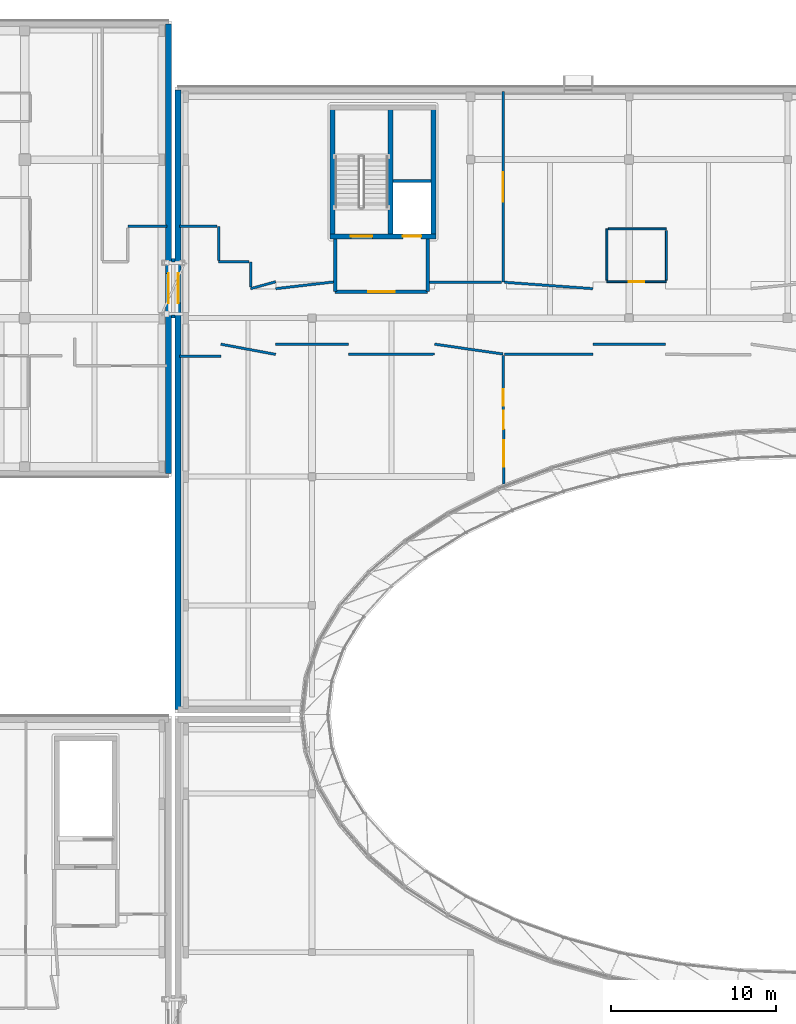
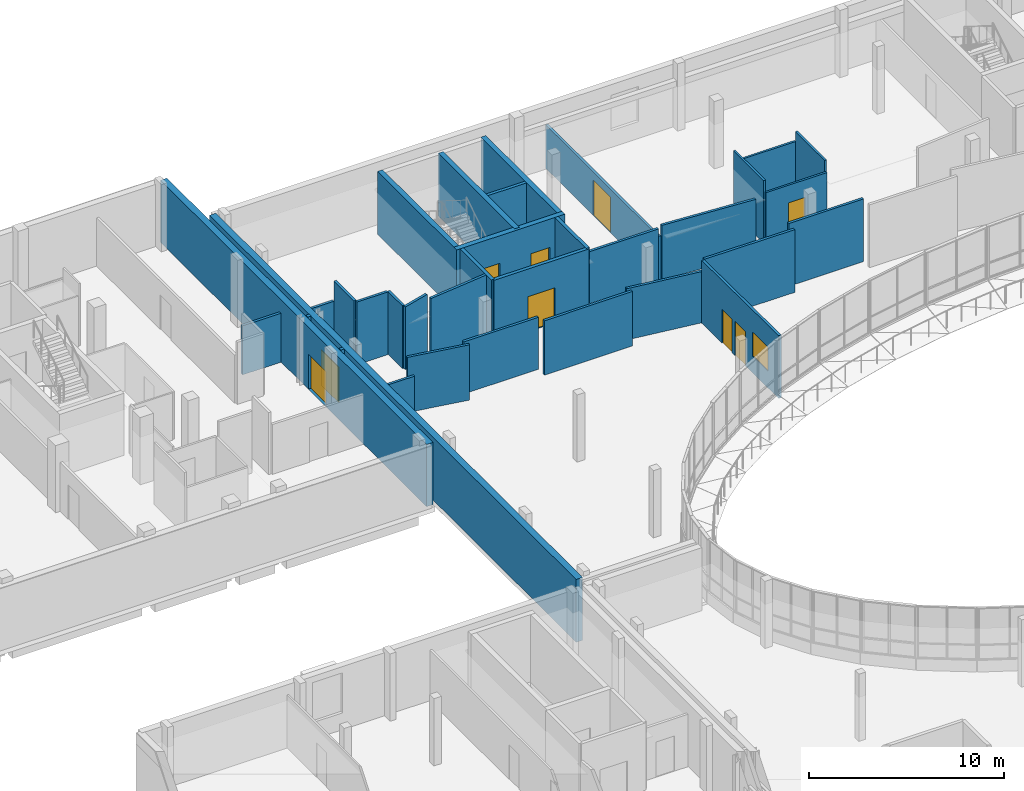
# One storey, part 45 of 73: 34 walls, 9 doors, 1 window, 10 openings.
"""IFC4 building model written with IfcOpenShell, lengths in metres."""

from ifc_helpers import new_model, si_unit, direction, frame, frame_2d, origin, place, context, subcontext, project, spatial, rectangle, extrude, material, layer, layer_set, type_object, element, fill, save


model = new_model("IFC4")

# Units and contexts
model_context = context("Model", 3, precision=1e-05, world=origin(), true_north=direction((0.0, 1.0)))
body_context = subcontext(model_context, "Body", "Model", "MODEL_VIEW")
ifc_project = project(units=[si_unit("LENGTHUNIT", "METRE"), si_unit("AREAUNIT", "SQUARE_METRE"), si_unit("VOLUMEUNIT", "CUBIC_METRE"), si_unit("PLANEANGLEUNIT", "RADIAN"), si_unit("MASSUNIT", "GRAM", prefix="KILO")], contexts=[model_context])

# Site, building, storey
site_placement = place(None, origin())
site = spatial("IfcSite", under=ifc_project, at=site_placement, CompositionType="ELEMENT")
building_placement = place(site_placement, origin())
building = spatial("IfcBuilding", under=site, at=building_placement, Name="Mzevani Central Library", CompositionType="ELEMENT")
storey_placement = place(building_placement, frame((0.0, 0.0, 9.60009765625)))
storey = spatial("IfcBuildingStorey", under=building, at=storey_placement, Name="L02", CompositionType="ELEMENT", Elevation=9.60009765625)

# Walls
ifc_material_1 = material(Name="Concrete C35/45", Category="concrete")
ifc_layer_1 = layer(ifc_material_1, 0.199951171875, Name="Compartment Wall 200")
ifc_layer_set_1 = layer_set([ifc_layer_1], Name="Concrete C35/45")
wall_type_1 = type_object("IfcWallType", Name="Compartment Wall 200", PredefinedType="STANDARD", material=ifc_layer_set_1)
for number, where, z_axis, x_axis, name in (
    (1, (45.89990234375, 100.10009765625, 0.0), (0.0, 0.0, 1.0), (1.0, 0.0, 0.0), "L02 Stacks-Court Seismic Passage L02 Seismic Joint Enclosure Wall 1"),
    (2, (45.89990234375, 103.5, 0.0), (0.0, 0.0, 1.0), (1.0, 0.0, 0.0), "L02 Stacks-Court Seismic Passage L02 Seismic Joint Enclosure Wall 2"),
):
    element("IfcWall", number, at=place(storey_placement, frame(where, z_axis=z_axis, x_axis=x_axis)), inside=storey, type_object=wall_type_1, Name=name, PredefinedType="STANDARD", context=body_context, shape_type="SweptSolid", body=[
        extrude(rectangle(XDim=0.2001953125, YDim=0.199951171875, at=frame_2d((0.10009765625, 0.0))), origin(), (0.0, 0.0, 1.0), 3.93994140625),
    ])
wall_1_placement = place(storey_placement, frame((55.800048828125, 104.800048828125, 0.0), z_axis=(0.0, 0.0, 1.0), x_axis=(0.0, -1.0, 0.0)))
element("IfcWall", 3, at=wall_1_placement, inside=storey, type_object=wall_type_1, Name="L02 Firefighting Stair and Lift Lobby C3A Enclosure Wall 1", PredefinedType="STANDARD", context=body_context, shape_type="SweptSolid", body=[
    extrude(rectangle(XDim=3.199951171875, YDim=0.199951171875, at=frame_2d((1.60009765625, 0.0))), origin(), (0.0, 0.0, 1.0), 3.919921875),
])

# Wall, opening, door
wall_2_placement = place(storey_placement, frame((55.800048828125, 101.60009765625, 0.0), z_axis=(0.0, 0.0, 1.0), x_axis=(1.0, 0.0, 0.0)))
wall_2 = element("IfcWall", 4, at=wall_2_placement, inside=storey, type_object=wall_type_1, Name="L02 Firefighting Stair and Lift Lobby C3A Enclosure Wall 2", PredefinedType="STANDARD", context=body_context, shape_type="SweptSolid", body=[
    extrude(rectangle(XDim=5.599853515625, YDim=0.199951171875, at=frame_2d((2.7998046875, 0.0))), origin(), (0.0, 0.0, 1.0), 3.919921875),
])
opening_1_placement = place(wall_2_placement, frame((2.0, 0.0, 0.0)))
opening_1 = element("IfcOpeningElement", 5, at=opening_1_placement, cuts=wall_2, Name="Opening FD-02", PredefinedType="OPENING", context=body_context, shape_type="SweptSolid", body=[
    extrude(rectangle(XDim=1.60009765625, YDim=2.199951171875, at=frame_2d((0.800048828125, 1.10009765625))), frame((0.0, 0.10986328125, 0.0), z_axis=(0.0, -1.0, 0.0), x_axis=(1.0, 0.0, 0.0)), (0.0, 0.0, 1.0), 0.219970703125),
])
ifc_material_2 = material(Name="Fire-rated steel door assembly", Category="steel")
door_type_1 = type_object("IfcDoorType", Name="Fire Lobby Double Door 1600x2200", OperationType="NOTDEFINED", PredefinedType="DOOR", material=ifc_material_2)
door_1_placement = place(opening_1_placement, origin())
door_1 = element("IfcDoor", 6, at=door_1_placement, inside=storey, type_object=door_type_1, Name="L02 Firefighting Stair and Lift Lobby C3A Smoke-Control Door", OperationType="DOUBLE_DOOR_SINGLE_SWING", OverallHeight=2.199951171875, OverallWidth=1.60009765625, PredefinedType="DOOR", context=body_context, shape_type="SweptSolid", body=[
    extrude(rectangle(XDim=1.60009765625, YDim=2.199951171875, at=frame_2d((0.800048828125, 1.10009765625))), frame((0.0, 0.02490234375, 0.0), z_axis=(0.0, -1.0, 0.0), x_axis=(1.0, 0.0, 0.0)), (0.0, 0.0, 1.0), 0.050048828125),
])
fill(opening_1, door_1)

# Wall
wall_3_placement = place(storey_placement, frame((61.39990234375, 101.60009765625, 0.0), z_axis=(0.0, 0.0, 1.0), x_axis=(0.0, 1.0, 0.0)))
element("IfcWall", 7, at=wall_3_placement, inside=storey, type_object=wall_type_1, Name="L02 Firefighting Stair and Lift Lobby C3A Enclosure Wall 3", PredefinedType="STANDARD", context=body_context, shape_type="SweptSolid", body=[
    extrude(rectangle(XDim=3.199951171875, YDim=0.199951171875, at=frame_2d((1.60009765625, 0.0))), origin(), (0.0, 0.0, 1.0), 3.919921875),
])

# Wall, openings, doors
ifc_material_3 = material(Name="Concrete C40/50", Category="concrete")
ifc_layer_2 = layer(ifc_material_3, 0.300048828125, Name="Core Shear Wall 300")
ifc_layer_set_2 = layer_set([ifc_layer_2], Name="Concrete C40/50")
wall_type_2 = type_object("IfcWallType", Name="Core Shear Wall 300", PredefinedType="SHEAR", material=ifc_layer_set_2)
wall_4_placement = place(storey_placement, frame((61.89990234375, 104.949951171875, 0.0), z_axis=(0.0, 0.0, 1.0), x_axis=(-1.0, 0.0, 0.0)))
wall_4 = element("IfcWall", 8, at=wall_4_placement, inside=storey, type_object=wall_type_2, Name="L02 Core C3A North-East Firefighting Core Shear Wall (-y)", PredefinedType="SHEAR", context=body_context, shape_type="SweptSolid", body=[
    extrude(rectangle(XDim=6.39990234375, YDim=0.300048828125, at=frame_2d((3.199951171875, 0.0))), origin(), (0.0, 0.0, 1.0), 3.919921875),
])
opening_2_placement = place(wall_4_placement, frame((3.85009765625, 0.0, 0.0)))
opening_2 = element("IfcOpeningElement", 9, at=opening_2_placement, cuts=wall_4, Name="Opening FD-01", PredefinedType="OPENING", context=body_context, shape_type="SweptSolid", body=[
    extrude(rectangle(XDim=1.300048828125, YDim=2.199951171875, at=frame_2d((0.64990234375, 1.10009765625))), frame((0.0, 0.16015625, 0.0), z_axis=(0.0, -1.0, 0.0), x_axis=(1.0, 0.0, 0.0)), (0.0, 0.0, 1.0), 0.320068359375),
])
opening_3_placement = place(wall_4_placement, frame((0.89990234375, 0.0, 0.0)))
opening_3 = element("IfcOpeningElement", 10, at=opening_3_placement, cuts=wall_4, Name="Opening LD-02", PredefinedType="OPENING", context=body_context, shape_type="SweptSolid", body=[
    extrude(rectangle(XDim=1.10009765625, YDim=2.14990234375, at=frame_2d((0.550048828125, 1.074951171875))), frame((0.0, 0.16015625, 0.0), z_axis=(0.0, -1.0, 0.0), x_axis=(1.0, 0.0, 0.0)), (0.0, 0.0, 1.0), 0.320068359375),
])
door_type_2 = type_object("IfcDoorType", Name="Fire Stair Door 1300x2200", OperationType="NOTDEFINED", PredefinedType="DOOR", material=ifc_material_2)
door_2_placement = place(opening_2_placement, origin())
door_2 = element("IfcDoor", 11, at=door_2_placement, inside=storey, type_object=door_type_2, Name="L02 ST-05 Protected Exit Stair Door", OperationType="SINGLE_SWING_LEFT", OverallHeight=2.199951171875, OverallWidth=1.300048828125, PredefinedType="DOOR", context=body_context, shape_type="SweptSolid", body=[
    extrude(rectangle(XDim=1.300048828125, YDim=2.199951171875, at=frame_2d((0.64990234375, 1.10009765625))), frame((0.0, 0.02490234375, 0.0), z_axis=(0.0, -1.0, 0.0), x_axis=(1.0, 0.0, 0.0)), (0.0, 0.0, 1.0), 0.050048828125),
])
fill(opening_2, door_2)
ifc_material_4 = material(Name="Brushed stainless steel door", Category="steel")
door_type_3 = type_object("IfcDoorType", Name="Firefighting Lift Landing Door 1100x2150", OperationType="NOTDEFINED", PredefinedType="DOOR", material=ifc_material_4)
door_3_placement = place(opening_3_placement, origin())
door_3 = element("IfcDoor", 12, at=door_3_placement, inside=storey, type_object=door_type_3, Name="L02 Lift LF-FF2 Sliding Landing Door", OperationType="SLIDING_TO_LEFT", OverallHeight=2.14990234375, OverallWidth=1.10009765625, PredefinedType="DOOR", context=body_context, shape_type="SweptSolid", body=[
    extrude(rectangle(XDim=1.10009765625, YDim=2.14990234375, at=frame_2d((0.550048828125, 1.074951171875))), frame((0.0, 0.02490234375, 0.0), z_axis=(0.0, -1.0, 0.0), x_axis=(1.0, 0.0, 0.0)), (0.0, 0.0, 1.0), 0.050048828125),
])
fill(opening_3, door_3)

# Walls
for number, where, z_axis, x_axis, name in (
    (13, (55.64990234375, 104.800048828125, 0.0), (0.0, 0.0, 1.0), (0.0, 1.0, 0.0), "L02 Core C3A North-East Firefighting Core Shear Wall (-x)"),
    (14, (61.75, 112.89990234375, 0.0), (0.0, 0.0, 1.0), (0.0, -1.0, 0.0), "L02 Core C3A North-East Firefighting Core Shear Wall (+x)"),
):
    element("IfcWall", number, at=place(storey_placement, frame(where, z_axis=z_axis, x_axis=x_axis)), inside=storey, type_object=wall_type_2, Name=name, PredefinedType="SHEAR", context=body_context, shape_type="SweptSolid", body=[
        extrude(rectangle(XDim=8.099853515625, YDim=0.300048828125, at=frame_2d((4.0498046875, 0.0))), origin(), (0.0, 0.0, 1.0), 3.919921875),
    ])
wall_5_placement = place(storey_placement, frame((59.14990234375, 104.949951171875, 0.0), z_axis=(0.0, 0.0, 1.0), x_axis=(0.0, 1.0, 0.0)))
element("IfcWall", 15, at=wall_5_placement, inside=storey, type_object=wall_type_2, Name="L02 Core C3A North-East Firefighting Core Hoistway Shear Wall", PredefinedType="SHEAR", context=body_context, shape_type="SweptSolid", body=[
    extrude(rectangle(XDim=7.800048828125, YDim=0.300048828125, at=frame_2d((3.89990234375, 0.0))), origin(), (0.0, 0.0, 1.0), 3.919921875),
])

# Wall, opening, door
ifc_material_5 = material(Name="Precast concrete C40/50", Category="concrete")
ifc_layer_3 = layer(ifc_material_5, 0.3798828125, Name="Exterior Thermal Concrete Wall 380")
ifc_layer_set_3 = layer_set([ifc_layer_3], Name="Precast concrete C40/50")
wall_type_3 = type_object("IfcWallType", Name="Exterior Thermal Concrete Wall 380", PredefinedType="STANDARD", material=ifc_layer_set_3)
wall_6_placement = place(storey_placement, frame((45.7099609375, 117.81005859375, 0.0), z_axis=(0.0, 0.0, 1.0), x_axis=(0.0, -1.0, 0.0)))
wall_6 = element("IfcWall", 16, at=wall_6_placement, inside=storey, type_object=wall_type_3, Name="L02 V2 Exterior Thermal Wall (27)", PredefinedType="STANDARD", context=body_context, shape_type="SweptSolid", body=[
    extrude(rectangle(XDim=27.219970703125, YDim=0.3798828125, at=frame_2d((13.60986328125, 0.0))), origin(), (0.0, 0.0, 1.0), 3.8798828125),
])
opening_4_placement = place(wall_6_placement, frame((15.110107421875, 0.0, 0.0)))
opening_4 = element("IfcOpeningElement", 17, at=opening_4_placement, cuts=wall_6, Name="Opening FD-06", PredefinedType="OPENING", context=body_context, shape_type="SweptSolid", body=[
    extrude(rectangle(XDim=1.800048828125, YDim=2.199951171875, at=frame_2d((0.89990234375, 1.10009765625))), frame((0.0, 0.199951171875, 0.0), z_axis=(0.0, -1.0, 0.0), x_axis=(1.0, 0.0, 0.0)), (0.0, 0.0, 1.0), 0.39990234375),
])
door_type_4 = type_object("IfcDoorType", Name="Fire Corridor Double Door 1800x2200", OperationType="NOTDEFINED", PredefinedType="DOOR", material=ifc_material_2)
door_4_placement = place(opening_4_placement, origin())
door_4 = element("IfcDoor", 18, at=door_4_placement, inside=storey, type_object=door_type_4, Name="L02 Stacks-Court Seismic Passage L02 Fire Portal Door (V2)", OperationType="DOUBLE_DOOR_SINGLE_SWING", OverallHeight=2.199951171875, OverallWidth=1.800048828125, PredefinedType="DOOR", context=body_context, shape_type="SweptSolid", body=[
    extrude(rectangle(XDim=1.800048828125, YDim=2.199951171875, at=frame_2d((0.89990234375, 1.10009765625))), frame((0.0, 0.02490234375, 0.0), z_axis=(0.0, -1.0, 0.0), x_axis=(1.0, 0.0, 0.0)), (0.0, 0.0, 1.0), 0.050048828125),
])
fill(opening_4, door_4)

wall_7_placement = place(storey_placement, frame((46.2900390625, 76.2900390625, 0.0), z_axis=(0.0, 0.0, 1.0), x_axis=(0.0, 1.0, 0.0)))
wall_7 = element("IfcWall", 19, at=wall_7_placement, inside=storey, type_object=wall_type_3, Name="L02 V3 Exterior Thermal Wall (62)", PredefinedType="STANDARD", context=body_context, shape_type="SweptSolid", body=[
    extrude(rectangle(XDim=37.52001953125, YDim=0.3798828125, at=frame_2d((18.760009765625, 0.0))), origin(), (0.0, 0.0, 1.0), 3.919921875),
])
opening_5_placement = place(wall_7_placement, frame((24.610107421875, 0.0, 0.0)))
opening_5 = element("IfcOpeningElement", 20, at=opening_5_placement, cuts=wall_7, Name="Opening FD-06", PredefinedType="OPENING", context=body_context, shape_type="SweptSolid", body=[
    extrude(rectangle(XDim=1.800048828125, YDim=2.199951171875, at=frame_2d((0.89990234375, 1.10009765625))), frame((0.0, 0.199951171875, 0.0), z_axis=(0.0, -1.0, 0.0), x_axis=(1.0, 0.0, 0.0)), (0.0, 0.0, 1.0), 0.39990234375),
])
door_5_placement = place(opening_5_placement, origin())
door_5 = element("IfcDoor", 21, at=door_5_placement, inside=storey, type_object=door_type_4, Name="L02 Stacks-Court Seismic Passage L02 Fire Portal Door (V3)", OperationType="DOUBLE_DOOR_SINGLE_SWING", OverallHeight=2.199951171875, OverallWidth=1.800048828125, PredefinedType="DOOR", context=body_context, shape_type="SweptSolid", body=[
    extrude(rectangle(XDim=1.800048828125, YDim=2.199951171875, at=frame_2d((0.89990234375, 1.10009765625))), frame((0.0, 0.02490234375, 0.0), z_axis=(0.0, -1.0, 0.0), x_axis=(1.0, 0.0, 0.0)), (0.0, 0.0, 1.0), 0.050048828125),
])
fill(opening_5, door_5)

ifc_material_6 = material(Name="Fire-rated gypsum board", Category="gypsum")
ifc_layer_4 = layer(ifc_material_6, 0.1201171875, Name="Partition Acoustic 120")
ifc_layer_set_4 = layer_set([ifc_layer_4], Name="Fire-rated gypsum board")
wall_type_4 = type_object("IfcWallType", Name="Partition Acoustic 120", PredefinedType="PARTITIONING", material=ifc_layer_set_4)
wall_8_placement = place(storey_placement, frame((75.85009765625, 102.199951171875, 0.0), z_axis=(0.0, 0.0, 1.0), x_axis=(-1.0, 0.0, 0.0)))
wall_8 = element("IfcWall", 22, at=wall_8_placement, inside=storey, type_object=wall_type_4, Name="L02 V3 Partition IW-02 (428)", PredefinedType="PARTITIONING", context=body_context, shape_type="SweptSolid", body=[
    extrude(rectangle(XDim=3.60009765625, YDim=0.1201171875, at=frame_2d((1.800048828125, 0.0))), origin(), (0.0, 0.0, 1.0), 3.25),
])
opening_6_placement = place(wall_8_placement, frame((1.324951171875, 0.0, 0.0)))
opening_6 = element("IfcOpeningElement", 23, at=opening_6_placement, cuts=wall_8, Name="Opening ID-02", PredefinedType="OPENING", context=body_context, shape_type="SweptSolid", body=[
    extrude(rectangle(XDim=0.949951171875, YDim=2.14990234375, at=frame_2d((0.47509765625, 1.074951171875))), frame((0.0, 0.070068359375, 0.0), z_axis=(0.0, -1.0, 0.0), x_axis=(1.0, 0.0, 0.0)), (0.0, 0.0, 1.0), 0.14013671875),
])
ifc_material_7 = material(Name="Fire-rated solid oak leaf")
door_type_5 = type_object("IfcDoorType", Name="Accessible WC Door 950x2150", OperationType="NOTDEFINED", PredefinedType="DOOR", material=ifc_material_7)
door_6_placement = place(opening_6_placement, origin())
door_6 = element("IfcDoor", 24, at=door_6_placement, inside=storey, type_object=door_type_5, Name="L02 Accessible WC and Public Toilet V3 Door", OperationType="SINGLE_SWING_LEFT", OverallHeight=2.14990234375, OverallWidth=0.949951171875, PredefinedType="DOOR", context=body_context, shape_type="SweptSolid", body=[
    extrude(rectangle(XDim=0.949951171875, YDim=2.14990234375, at=frame_2d((0.47509765625, 1.074951171875))), frame((0.0, 0.02490234375, 0.0), z_axis=(0.0, -1.0, 0.0), x_axis=(1.0, 0.0, 0.0)), (0.0, 0.0, 1.0), 0.050048828125),
])
fill(opening_6, door_6)

# Walls
wall_9_placement = place(storey_placement, frame((72.25, 102.300048828125, 0.0), z_axis=(0.0, 0.0, 1.0), x_axis=(0.0, 1.0, 0.0)))
element("IfcWall", 25, at=wall_9_placement, inside=storey, type_object=wall_type_4, Name="L02 V3 Partition IW-02 (429)", PredefinedType="PARTITIONING", context=body_context, shape_type="SweptSolid", body=[
    extrude(rectangle(XDim=3.099853515625, YDim=0.1201171875, at=frame_2d((1.5498046875, 0.0))), origin(), (0.0, 0.0, 1.0), 3.919921875),
])
wall_10_placement = place(storey_placement, frame((72.35009765625, 105.39990234375, 0.0), z_axis=(0.0, 0.0, 1.0), x_axis=(1.0, 0.0, 0.0)))
element("IfcWall", 26, at=wall_10_placement, inside=storey, type_object=wall_type_4, Name="L02 V3 Partition IW-02 (430)", PredefinedType="PARTITIONING", context=body_context, shape_type="SweptSolid", body=[
    extrude(rectangle(XDim=3.5, YDim=0.1201171875, at=frame_2d((1.75, 0.0))), origin(), (0.0, 0.0, 1.0), 3.25),
])
wall_11_placement = place(storey_placement, frame((75.85009765625, 105.300048828125, 0.0), z_axis=(0.0, 0.0, 1.0), x_axis=(0.0, -1.0, 0.0)))
element("IfcWall", 27, at=wall_11_placement, inside=storey, type_object=wall_type_4, Name="L02 V3 Partition IW-02 (431)", PredefinedType="PARTITIONING", context=body_context, shape_type="SweptSolid", body=[
    extrude(rectangle(XDim=3.0, YDim=0.1201171875, at=frame_2d((1.5, 0.0))), origin(), (0.0, 0.0, 1.0), 3.919921875),
])
ifc_layer_5 = layer(ifc_material_6, 0.14990234375, Name="Partition Study 150")
ifc_layer_set_5 = layer_set([ifc_layer_5], Name="Fire-rated gypsum board")
wall_type_5 = type_object("IfcWallType", Name="Partition Study 150", PredefinedType="PARTITIONING", material=ifc_layer_set_5)
wall_12_placement = place(storey_placement, frame((45.610107421875, 105.550048828125, 0.0), z_axis=(0.0, 0.0, 1.0), x_axis=(-1.0, 0.0, 0.0)))
element("IfcWall", 28, at=wall_12_placement, inside=storey, type_object=wall_type_5, Name="L02 V2 Partition IW-03 (424)", PredefinedType="PARTITIONING", context=body_context, shape_type="SweptSolid", body=[
    extrude(rectangle(XDim=2.360107421875, YDim=0.14990234375, at=frame_2d((1.18017578125, 0.0))), origin(), (0.0, 0.0, 1.0), 3.059814453125),
])
wall_13_placement = place(storey_placement, frame((46.389892578125, 97.699951171875, 0.0), z_axis=(0.0, 0.0, 1.0), x_axis=(1.0, 0.0, 0.0)))
element("IfcWall", 29, at=wall_13_placement, inside=storey, type_object=wall_type_5, Name="L02 V3 Partition IW-03 (432)", PredefinedType="PARTITIONING", context=body_context, shape_type="SweptSolid", body=[
    extrude(rectangle(XDim=2.485107421875, YDim=0.14990234375, at=frame_2d((1.24267578125, 0.0))), origin(), (0.0, 0.0, 1.0), 2.71484375),
])
wall_14_placement = place(storey_placement, frame((48.875, 98.419921875, 0.0), z_axis=(0.0, 0.0, 1.0), x_axis=(0.983062062396, -0.183272969853, 0.0)))
element("IfcWall", 30, at=wall_14_placement, inside=storey, type_object=wall_type_5, Name="L02 V3 Partition IW-03 (433)", PredefinedType="PARTITIONING", context=body_context, shape_type="SweptSolid", body=[
    extrude(rectangle(XDim=3.38232421875, YDim=0.14990234375, at=frame_2d((1.691162109375, 0.0))), origin(), (0.0, 0.0, 1.0), 3.449951171875),
])
wall_15_placement = place(storey_placement, frame((52.199951171875, 98.419921875, 0.0), z_axis=(0.0, 0.0, 1.0), x_axis=(1.0, 0.0, 0.0)))
element("IfcWall", 31, at=wall_15_placement, inside=storey, type_object=wall_type_5, Name="L02 V3 Partition IW-03 (434)", PredefinedType="PARTITIONING", context=body_context, shape_type="SweptSolid", body=[
    extrude(rectangle(XDim=4.400146484375, YDim=0.14990234375, at=frame_2d((2.2001953125, 0.0))), origin(), (0.0, 0.0, 1.0), 3.25),
])
wall_16_placement = place(storey_placement, frame((56.60009765625, 97.800048828125, 0.0), z_axis=(0.0, 0.0, 1.0), x_axis=(0.999988642184, 0.004766078291, 0.0)))
element("IfcWall", 32, at=wall_16_placement, inside=storey, type_object=wall_type_5, Name="L02 V3 Partition IW-03 (435)", PredefinedType="PARTITIONING", context=body_context, shape_type="SweptSolid", body=[
    extrude(rectangle(XDim=5.224853515625, YDim=0.14990234375, at=frame_2d((2.6123046875, 0.0))), origin(), (0.0, 0.0, 1.0), 3.39990234375),
])
wall_17_placement = place(storey_placement, frame((61.824951171875, 98.419921875, 0.0), z_axis=(0.0, 0.0, 1.0), x_axis=(0.989831243065, -0.142246652869, 0.0)))
element("IfcWall", 33, at=wall_17_placement, inside=storey, type_object=wall_type_5, Name="L02 V3 Partition IW-03 (436)", PredefinedType="PARTITIONING", context=body_context, shape_type="SweptSolid", body=[
    extrude(rectangle(XDim=4.1826171875, YDim=0.14990234375, at=frame_2d((2.09130859375, 0.0))), origin(), (0.0, 0.0, 1.0), 3.199951171875),
])

# Wall, openings, doors, window
wall_18_placement = place(storey_placement, frame((65.9658203125, 97.72509765625, 0.0), z_axis=(0.0, 0.0, 1.0), x_axis=(0.007087127579, -0.999974885996, 0.0)))
wall_18 = element("IfcWall", 34, at=wall_18_placement, inside=storey, type_object=wall_type_5, Name="L02 V3 Partition IW-03 (437)", PredefinedType="PARTITIONING", context=body_context, shape_type="SweptSolid", body=[
    extrude(rectangle(XDim=7.785400390625, YDim=0.14990234375, at=frame_2d((3.892578125, 0.0))), origin(), (0.0, 0.0, 1.0), 3.919921875),
])
opening_7_placement = place(wall_18_placement, frame((3.342529296875, 0.0, 0.0)))
opening_7 = element("IfcOpeningElement", 35, at=opening_7_placement, cuts=wall_18, Name="Opening FD-04", PredefinedType="OPENING", context=body_context, shape_type="SweptSolid", body=[
    extrude(rectangle(XDim=1.10009765625, YDim=2.14990234375, at=frame_2d((0.550048828125, 1.074951171875))), frame((0.0, 0.0849609375, 0.0), z_axis=(0.0, -1.0, 0.0), x_axis=(1.0, 0.0, 0.0)), (0.0, 0.0, 1.0), 0.169921875),
])
opening_8_placement = place(wall_18_placement, frame((2.04248046875, 0.0, 0.0)))
opening_8 = element("IfcOpeningElement", 36, at=opening_8_placement, cuts=wall_18, Name="Opening ID-03", PredefinedType="OPENING", context=body_context, shape_type="SweptSolid", body=[
    extrude(rectangle(XDim=1.0, YDim=2.10009765625, at=frame_2d((0.5, 1.050048828125))), frame((0.0, 0.0849609375, 0.0), z_axis=(0.0, -1.0, 0.0), x_axis=(1.0, 0.0, 0.0)), (0.0, 0.0, 1.0), 0.169921875),
])
opening_9_placement = place(wall_18_placement, frame((5.11669921875, 0.0, 1.050048828125)))
opening_9 = element("IfcOpeningElement", 37, at=opening_9_placement, cuts=wall_18, Name="Opening IW-W01", PredefinedType="OPENING", context=body_context, shape_type="SweptSolid", body=[
    extrude(rectangle(XDim=1.60009765625, YDim=1.5, at=frame_2d((0.800048828125, 0.75))), frame((0.0, 0.0849609375, 0.0), z_axis=(0.0, -1.0, 0.0), x_axis=(1.0, 0.0, 0.0)), (0.0, 0.0, 1.0), 0.169921875),
])
door_type_6 = type_object("IfcDoorType", Name="Fire Compartment Door 1100x2150", OperationType="NOTDEFINED", PredefinedType="DOOR", material=ifc_material_2)
door_7_placement = place(opening_7_placement, origin())
door_7 = element("IfcDoor", 38, at=door_7_placement, inside=storey, type_object=door_type_6, Name="L02 Sciences and Engineering Open Stacks Door", OperationType="SINGLE_SWING_RIGHT", OverallHeight=2.14990234375, OverallWidth=1.10009765625, PredefinedType="DOOR", context=body_context, shape_type="SweptSolid", body=[
    extrude(rectangle(XDim=1.10009765625, YDim=2.14990234375, at=frame_2d((0.550048828125, 1.074951171875))), frame((0.0, 0.02490234375, 0.0), z_axis=(0.0, -1.0, 0.0), x_axis=(1.0, 0.0, 0.0)), (0.0, 0.0, 1.0), 0.050048828125),
])
fill(opening_7, door_7)
ifc_material_8 = material(Name="Low-E triple glazing glass", Category="glass")
window_type = type_object("IfcWindowType", Name="Interior Borrowed Light 1600x1500", PartitioningType="SINGLE_PANEL", PredefinedType="WINDOW", material=ifc_material_8)
window_placement = place(opening_9_placement, origin())
window = element("IfcWindow", 39, at=window_placement, inside=storey, type_object=window_type, Name="L02 Individual Quiet Study Carrels L02 Acoustic Borrowed Light", OverallHeight=1.5, OverallWidth=1.60009765625, PartitioningType="SINGLE_PANEL", PredefinedType="WINDOW", context=body_context, shape_type="SweptSolid", body=[
    extrude(rectangle(XDim=1.60009765625, YDim=1.5, at=frame_2d((0.800048828125, 0.75))), frame((0.0, 0.030029296875, 0.0), z_axis=(0.0, -1.0, 0.0), x_axis=(1.0, 0.0, 0.0)), (0.0, 0.0, 1.0), 0.06005859375),
])
fill(opening_9, window)
door_type_7 = type_object("IfcDoorType", Name="Quiet Study Carrel Door 1000x2100", OperationType="NOTDEFINED", PredefinedType="DOOR", material=ifc_material_7)
door_8_placement = place(opening_8_placement, origin())
door_8 = element("IfcDoor", 40, at=door_8_placement, inside=storey, type_object=door_type_7, Name="L02 Individual Quiet Study Carrels L02 Door", OperationType="SINGLE_SWING_RIGHT", OverallHeight=2.10009765625, OverallWidth=1.0, PredefinedType="DOOR", context=body_context, shape_type="SweptSolid", body=[
    extrude(rectangle(XDim=1.0, YDim=2.10009765625, at=frame_2d((0.5, 1.050048828125))), frame((0.0, 0.02490234375, 0.0), z_axis=(0.0, -1.0, 0.0), x_axis=(1.0, 0.0, 0.0)), (0.0, 0.0, 1.0), 0.050048828125),
])
fill(opening_8, door_8)

# Walls
wall_19_placement = place(storey_placement, frame((55.70068359375, 102.1884765625, 0.0), z_axis=(0.0, 0.0, 1.0), x_axis=(-0.993262208875, -0.115888672533, 0.0)))
element("IfcWall", 41, at=wall_19_placement, inside=storey, type_object=wall_type_5, Name="L02 V3 Partition IW-03 (438)", PredefinedType="PARTITIONING", context=body_context, shape_type="SweptSolid", body=[
    extrude(rectangle(XDim=3.5244140625, YDim=0.14990234375, at=frame_2d((1.76220703125, 0.0))), origin(), (0.0, 0.0, 1.0), 3.919921875),
])
wall_20_placement = place(storey_placement, frame((52.199951171875, 102.199951171875, 0.0), z_axis=(0.0, 0.0, 1.0), x_axis=(-0.963894016224, -0.266286172166, 0.0)))
element("IfcWall", 42, at=wall_20_placement, inside=storey, type_object=wall_type_5, Name="L02 V3 Partition IW-03 (439)", PredefinedType="PARTITIONING", context=body_context, shape_type="SweptSolid", body=[
    extrude(rectangle(XDim=1.576904296875, YDim=0.14990234375, at=frame_2d((0.78857421875, 0.0))), origin(), (0.0, 0.0, 1.0), 3.919921875),
])
wall_21_placement = place(storey_placement, frame((50.679931640625, 101.8798828125, 0.0), z_axis=(0.0, 0.0, 1.0), x_axis=(0.0, 1.0, 0.0)))
element("IfcWall", 43, at=wall_21_placement, inside=storey, type_object=wall_type_5, Name="L02 V3 Partition IW-03 (440)", PredefinedType="PARTITIONING", context=body_context, shape_type="SweptSolid", body=[
    extrude(rectangle(XDim=1.52001953125, YDim=0.14990234375, at=frame_2d((0.760009765625, 0.0))), origin(), (0.0, 0.0, 1.0), 3.919921875),
])
wall_22_placement = place(storey_placement, frame((50.580078125, 103.39990234375, 0.0), z_axis=(0.0, 0.0, 1.0), x_axis=(-1.0, 0.0, 0.0)))
element("IfcWall", 44, at=wall_22_placement, inside=storey, type_object=wall_type_5, Name="L02 V3 Partition IW-03 (441)", PredefinedType="PARTITIONING", context=body_context, shape_type="SweptSolid", body=[
    extrude(rectangle(XDim=1.830078125, YDim=0.14990234375, at=frame_2d((0.9150390625, 0.0))), origin(), (0.0, 0.0, 1.0), 3.919921875),
])
wall_23_placement = place(storey_placement, frame((48.75, 103.5, 0.0), z_axis=(0.0, 0.0, 1.0), x_axis=(0.0, 1.0, 0.0)))
element("IfcWall", 45, at=wall_23_placement, inside=storey, type_object=wall_type_5, Name="L02 V3 Partition IW-03 (442)", PredefinedType="PARTITIONING", context=body_context, shape_type="SweptSolid", body=[
    extrude(rectangle(XDim=2.050048828125, YDim=0.14990234375, at=frame_2d((1.02490234375, 0.0))), origin(), (0.0, 0.0, 1.0), 3.919921875),
])
wall_24_placement = place(storey_placement, frame((48.64990234375, 105.550048828125, 0.0), z_axis=(0.0, 0.0, 1.0), x_axis=(-1.0, 0.0, 0.0)))
element("IfcWall", 46, at=wall_24_placement, inside=storey, type_object=wall_type_5, Name="L02 V3 Partition IW-03 (443)", PredefinedType="PARTITIONING", context=body_context, shape_type="SweptSolid", body=[
    extrude(rectangle(XDim=2.260009765625, YDim=0.14990234375, at=frame_2d((1.1298828125, 0.0))), origin(), (0.0, 0.0, 1.0), 2.71484375),
])

# Wall, opening, door
wall_25_placement = place(storey_placement, frame((65.965087890625, 113.7099609375, 0.0), z_axis=(0.0, 0.0, 1.0), x_axis=(0.0, -1.0, 0.0)))
wall_25 = element("IfcWall", 47, at=wall_25_placement, inside=storey, type_object=wall_type_5, Name="L02 V3 Partition IW-03 (444)", PredefinedType="PARTITIONING", context=body_context, shape_type="SweptSolid", body=[
    extrude(rectangle(XDim=11.534912109375, YDim=0.14990234375, at=frame_2d((5.767578125, 0.0))), origin(), (0.0, 0.0, 1.0), 2.71484375),
])
opening_10_placement = place(wall_25_placement, frame((4.867431640625, 0.0, 0.0)))
opening_10 = element("IfcOpeningElement", 48, at=opening_10_placement, cuts=wall_25, Name="Opening FD-06", PredefinedType="OPENING", context=body_context, shape_type="SweptSolid", body=[
    extrude(rectangle(XDim=1.800048828125, YDim=2.199951171875, at=frame_2d((0.89990234375, 1.10009765625))), frame((0.0, 0.0849609375, 0.0), z_axis=(0.0, -1.0, 0.0), x_axis=(1.0, 0.0, 0.0)), (0.0, 0.0, 1.0), 0.169921875),
])
door_9_placement = place(opening_10_placement, origin())
door_9 = element("IfcDoor", 49, at=door_9_placement, inside=storey, type_object=door_type_4, Name="L02 Stepped Atrium Study Terrace Door", OperationType="DOUBLE_DOOR_SINGLE_SWING", OverallHeight=2.199951171875, OverallWidth=1.800048828125, PredefinedType="DOOR", context=body_context, shape_type="SweptSolid", body=[
    extrude(rectangle(XDim=1.800048828125, YDim=2.199951171875, at=frame_2d((0.89990234375, 1.10009765625))), frame((0.0, 0.02490234375, 0.0), z_axis=(0.0, -1.0, 0.0), x_axis=(1.0, 0.0, 0.0)), (0.0, 0.0, 1.0), 0.050048828125),
])
fill(opening_10, door_9)

# Walls
wall_26_placement = place(storey_placement, frame((65.864990234375, 102.175048828125, 0.0), z_axis=(0.0, 0.0, 1.0), x_axis=(-1.0, 0.0, 0.0)))
element("IfcWall", 50, at=wall_26_placement, inside=storey, type_object=wall_type_5, Name="L02 V3 Partition IW-03 (445)", PredefinedType="PARTITIONING", context=body_context, shape_type="SweptSolid", body=[
    extrude(rectangle(XDim=4.364990234375, YDim=0.14990234375, at=frame_2d((2.1826171875, 0.0))), origin(), (0.0, 0.0, 1.0), 3.25),
])
wall_27_placement = place(storey_placement, frame((71.39990234375, 101.780029296875, 0.0), z_axis=(0.0, 0.0, 1.0), x_axis=(-0.997370137552, 0.072476263142, 0.0)))
element("IfcWall", 51, at=wall_27_placement, inside=storey, type_object=wall_type_5, Name="L02 V3 Partition IW-03 (447)", PredefinedType="PARTITIONING", context=body_context, shape_type="SweptSolid", body=[
    extrude(rectangle(XDim=5.349365234375, YDim=0.14990234375, at=frame_2d((2.6748046875, 0.0))), origin(), (0.0, 0.0, 1.0), 3.39990234375),
])
wall_28_placement = place(storey_placement, frame((66.06494140625, 97.824462890625, 0.0), z_axis=(0.0, 0.0, 1.0), x_axis=(0.999989529177, -0.004576192244, 0.0)))
element("IfcWall", 52, at=wall_28_placement, inside=storey, type_object=wall_type_5, Name="L02 V3 Partition IW-03 (449)", PredefinedType="PARTITIONING", context=body_context, shape_type="SweptSolid", body=[
    extrude(rectangle(XDim=5.3349609375, YDim=0.14990234375, at=frame_2d((2.66748046875, 0.0))), origin(), (0.0, 0.0, 1.0), 3.919921875),
])
wall_29_placement = place(storey_placement, frame((71.39990234375, 98.419921875, 0.0), z_axis=(0.0, 0.0, 1.0), x_axis=(1.0, 0.0, 0.0)))
element("IfcWall", 53, at=wall_29_placement, inside=storey, type_object=wall_type_5, Name="L02 V3 Partition IW-03 (450)", PredefinedType="PARTITIONING", context=body_context, shape_type="SweptSolid", body=[
    extrude(rectangle(XDim=4.400146484375, YDim=0.14990234375, at=frame_2d((2.2001953125, 0.0))), origin(), (0.0, 0.0, 1.0), 3.919921875),
])
ifc_material_9 = material(Name="Concrete blockwork masonry", Category="masonry")
ifc_layer_6 = layer(ifc_material_9, 0.179931640625, Name="Shaft Enclosure Wall 180")
ifc_layer_set_6 = layer_set([ifc_layer_6], Name="Concrete blockwork masonry")
wall_type_6 = type_object("IfcWallType", Name="Shaft Enclosure Wall 180", PredefinedType="PARTITIONING", material=ifc_layer_set_6)
wall_30_placement = place(storey_placement, frame((59.300048828125, 108.2900390625, 0.0), z_axis=(0.0, 0.0, 1.0), x_axis=(1.0, 0.0, 0.0)))
element("IfcWall", 54, at=wall_30_placement, inside=storey, type_object=wall_type_6, Name="L02 Lift LF-FF2 Hoistway Enclosure Wall", PredefinedType="PARTITIONING", context=body_context, shape_type="SweptSolid", body=[
    extrude(rectangle(XDim=2.300048828125, YDim=0.179931640625, at=frame_2d((1.14990234375, 0.0))), origin(), (0.0, 0.0, 1.0), 3.919921875),
])

save(model, "model.ifc")
